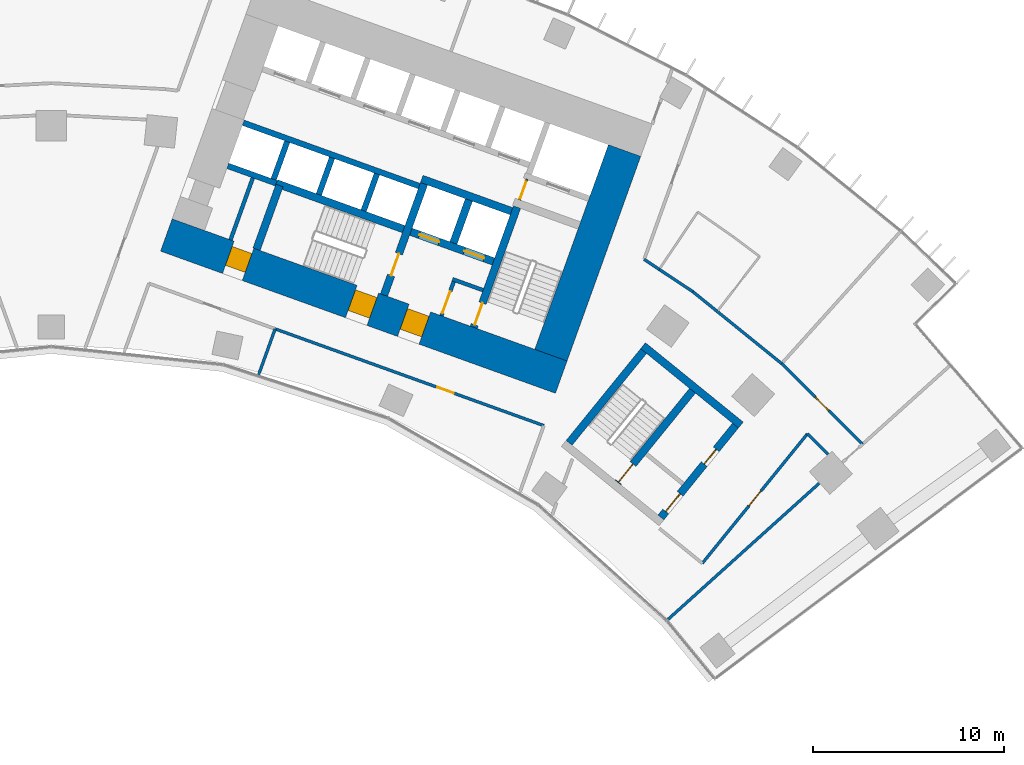
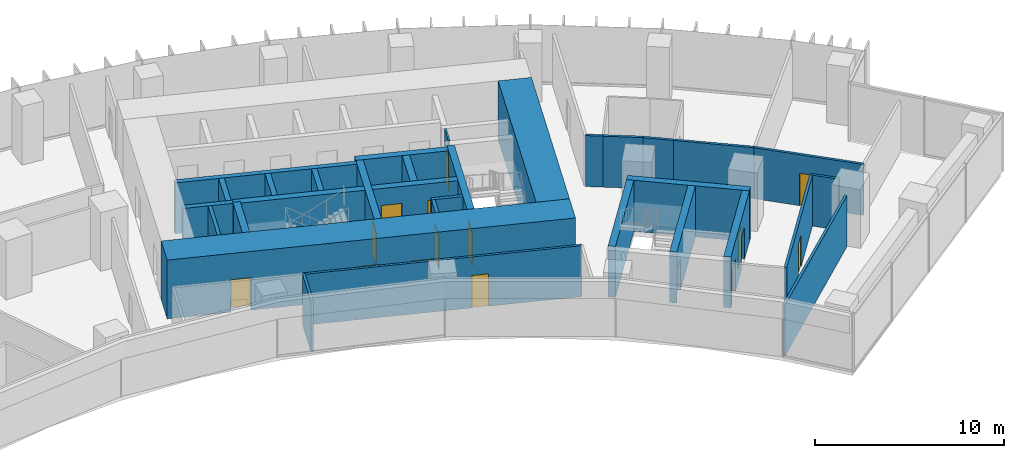
# One storey, part 20 of 24: 31 walls, 15 doors, 15 openings.
"""IFC4 building model written with IfcOpenShell, lengths in metres."""

from ifc_helpers import new_model, si_unit, direction, frame, frame_2d, origin, place, context, subcontext, project, spatial, rectangle, extrude, material, layer, layer_set, type_object, element, fill, save


model = new_model("IFC4")

# Units and contexts
model_context = context("Model", 3, precision=1e-05, world=origin(), true_north=direction((0.0, 1.0)))
body_context = subcontext(model_context, "Body", "Model", "MODEL_VIEW")
ifc_project = project(units=[si_unit("LENGTHUNIT", "METRE"), si_unit("AREAUNIT", "SQUARE_METRE"), si_unit("VOLUMEUNIT", "CUBIC_METRE"), si_unit("PLANEANGLEUNIT", "RADIAN"), si_unit("MASSUNIT", "GRAM", prefix="KILO")], contexts=[model_context])

# Site, building, storey
site_placement = place(None, origin())
site = spatial("IfcSite", under=ifc_project, at=site_placement, CompositionType="ELEMENT")
building_placement = place(site_placement, origin())
building = spatial("IfcBuilding", under=site, at=building_placement, Name="Stone Belt Terrace Tower", CompositionType="ELEMENT")
storey_placement = place(building_placement, frame((0.0, 0.0, 75.60009765625)))
storey = spatial("IfcBuildingStorey", under=building, at=storey_placement, Name="L18", CompositionType="ELEMENT", Elevation=75.60009765625)

# Wall, opening, door
ifc_material_1 = material(Name="Plasterboard partition")
ifc_layer_1 = layer(ifc_material_1, 0.10009765625)
ifc_layer_set_1 = layer_set([ifc_layer_1], Name="Core partition 100")
wall_type_1 = type_object("IfcWallType", Name="Core partition 100", PredefinedType="PARTITIONING", material=ifc_layer_set_1)
wall_1_placement = place(storey_placement, frame((24.555908203125, 51.10400390625, 0.0), z_axis=(0.0, 0.0, 1.0), x_axis=(0.338621735342, 0.94092258999, 0.0)))
wall_1 = element("IfcWall", 1, at=wall_1_placement, inside=storey, type_object=wall_type_1, Name="Core B wall", PredefinedType="PARTITIONING", context=body_context, shape_type="SweptSolid", body=[
    extrude(rectangle(XDim=1.14990234375, YDim=0.10009765625, at=frame_2d((0.574951171875, 0.0))), origin(), (0.0, 0.0, 1.0), 3.2998046875),
])
opening_1_placement = place(wall_1_placement, frame((0.050048828125, 0.0, 0.0)))
opening_1 = element("IfcOpeningElement", 2, at=opening_1_placement, cuts=wall_1, Name="Opening L18-C10", PredefinedType="OPENING", context=body_context, shape_type="SweptSolid", body=[
    extrude(rectangle(XDim=1.0, YDim=2.10009765625, at=frame_2d((0.5, 1.050048828125))), frame((0.0, 0.06005859375, 0.0), z_axis=(0.0, -1.0, 0.0), x_axis=(1.0, 0.0, 0.0)), (0.0, 0.0, 1.0), 0.1201171875),
])
ifc_material_2 = material(Name="Timber door leaf", Category="wood")
door_type_1 = type_object("IfcDoorType", Name="Core room door 1000", OperationType="SINGLE_SWING_LEFT", PredefinedType="DOOR", material=ifc_material_2)
door_1_placement = place(opening_1_placement, origin())
door_1 = element("IfcDoor", 3, at=door_1_placement, inside=storey, type_object=door_type_1, Name="Service lift lobby door core B", OperationType="SINGLE_SWING_LEFT", OverallHeight=2.10009765625, OverallWidth=1.0, PredefinedType="DOOR", context=body_context, shape_type="SweptSolid", body=[
    extrude(rectangle(XDim=1.0, YDim=2.10009765625, at=frame_2d((0.5, 1.050048828125))), frame((0.0, 0.02490234375, 0.0), z_axis=(0.0, -1.0, 0.0), x_axis=(1.0, 0.0, 0.0)), (0.0, 0.0, 1.0), 0.050048828125),
])
fill(opening_1, door_1)

# Wall, openings, doors
ifc_material_3 = material(Name="Concrete B80", Category="concrete")
ifc_layer_2 = layer(ifc_material_3, 1.800048828125)
ifc_layer_set_2 = layer_set([ifc_layer_2], Name="Core wall 1800 B80")
wall_type_2 = type_object("IfcWallType", Name="Core wall 1800 B80", PredefinedType="SHEAR", material=ifc_layer_set_2)
wall_2_placement = place(storey_placement, frame((6.039306640625, 49.265380859375, 0.0), z_axis=(0.0, 0.0, 1.0), x_axis=(0.940921642213, -0.338624368902, 0.0)))
wall_2 = element("IfcWall", 4, at=wall_2_placement, inside=storey, type_object=wall_type_2, Name="Core B wall concave L18", PredefinedType="SHEAR", context=body_context, shape_type="SweptSolid", body=[
    extrude(rectangle(XDim=22.0, YDim=1.800048828125, at=frame_2d((11.0, 0.0))), origin(), (0.0, 0.0, 1.0), 3.7998046875),
])
opening_2_placement = place(wall_2_placement, frame((13.199951171875, 0.0, 0.0)))
opening_2 = element("IfcOpeningElement", 5, at=opening_2_placement, cuts=wall_2, Name="Opening L18-C14", PredefinedType="OPENING", context=body_context, shape_type="SweptSolid", body=[
    extrude(rectangle(XDim=1.199951171875, YDim=2.10009765625, at=frame_2d((0.60009765625, 1.050048828125))), frame((0.0, 0.909912109375, 0.0), z_axis=(0.0, -1.0, 0.0), x_axis=(1.0, 0.0, 0.0)), (0.0, 0.0, 1.0), 1.820068359375),
])
opening_3_placement = place(wall_2_placement, frame((10.300048828125, 0.0, 0.0)))
opening_3 = element("IfcOpeningElement", 6, at=opening_3_placement, cuts=wall_2, Name="Opening L18-C16", PredefinedType="OPENING", context=body_context, shape_type="SweptSolid", body=[
    extrude(rectangle(XDim=1.199951171875, YDim=2.10009765625, at=frame_2d((0.60009765625, 1.050048828125))), frame((0.0, 0.909912109375, 0.0), z_axis=(0.0, -1.0, 0.0), x_axis=(1.0, 0.0, 0.0)), (0.0, 0.0, 1.0), 1.820068359375),
])
opening_4_placement = place(wall_2_placement, frame((3.449951171875, 0.0, 0.0)))
opening_4 = element("IfcOpeningElement", 7, at=opening_4_placement, cuts=wall_2, Name="Opening L18-C18", PredefinedType="OPENING", context=body_context, shape_type="SweptSolid", body=[
    extrude(rectangle(XDim=1.10009765625, YDim=2.10009765625, at=frame_2d((0.550048828125, 1.050048828125))), frame((0.0, 0.909912109375, 0.0), z_axis=(0.0, -1.0, 0.0), x_axis=(1.0, 0.0, 0.0)), (0.0, 0.0, 1.0), 1.820068359375),
])
door_type_2 = type_object("IfcDoorType", Name="Core room door 1100", OperationType="SINGLE_SWING_LEFT", PredefinedType="DOOR", material=ifc_material_2)
door_2_placement = place(opening_4_placement, origin())
door_2 = element("IfcDoor", 8, at=door_2_placement, inside=storey, type_object=door_type_2, Name="Door to Communications riser room core B", OperationType="SINGLE_SWING_LEFT", OverallHeight=2.10009765625, OverallWidth=1.10009765625, PredefinedType="DOOR", context=body_context, shape_type="SweptSolid", body=[
    extrude(rectangle(XDim=1.10009765625, YDim=2.10009765625, at=frame_2d((0.550048828125, 1.050048828125))), frame((0.0, 0.60498046875, 0.0), z_axis=(0.0, -1.0, 0.0), x_axis=(1.0, 0.0, 0.0)), (0.0, 0.0, 1.0), 1.050048828125),
])
fill(opening_4, door_2)
ifc_material_4 = material(Name="Steel door leaf", Category="steel")
door_type_3 = type_object("IfcDoorType", Name="Fire-fighting lobby door 1200", OperationType="SINGLE_SWING_LEFT", PredefinedType="DOOR", material=ifc_material_4)
door_3_placement = place(opening_2_placement, origin())
door_3 = element("IfcDoor", 9, at=door_3_placement, inside=storey, type_object=door_type_3, Name="Fire-fighting lobby door core B", OperationType="SINGLE_SWING_LEFT", OverallHeight=2.10009765625, OverallWidth=1.199951171875, PredefinedType="DOOR", context=body_context, shape_type="SweptSolid", body=[
    extrude(rectangle(XDim=1.199951171875, YDim=2.10009765625, at=frame_2d((0.60009765625, 1.050048828125))), frame((0.0, 0.655029296875, 0.0), z_axis=(0.0, -1.0, 0.0), x_axis=(1.0, 0.0, 0.0)), (0.0, 0.0, 1.0), 1.14990234375),
])
fill(opening_2, door_3)
door_type_4 = type_object("IfcDoorType", Name="Stair door 1200", OperationType="SINGLE_SWING_LEFT", PredefinedType="DOOR", material=ifc_material_4)
door_4_placement = place(opening_3_placement, origin())
door_4 = element("IfcDoor", 10, at=door_4_placement, inside=storey, type_object=door_type_4, Name="Stair 2 exit door core B", OperationType="SINGLE_SWING_RIGHT", OverallHeight=2.10009765625, OverallWidth=1.199951171875, PredefinedType="DOOR", context=body_context, shape_type="SweptSolid", body=[
    extrude(rectangle(XDim=1.199951171875, YDim=2.10009765625, at=frame_2d((0.60009765625, 1.050048828125))), frame((0.0, 0.655029296875, 0.0), z_axis=(0.0, -1.0, 0.0), x_axis=(1.0, 0.0, 0.0)), (0.0, 0.0, 1.0), 1.14990234375),
])
fill(opening_3, door_4)

# Walls
wall_3_placement = place(storey_placement, frame((26.197509765625, 42.96728515625, 0.0), z_axis=(0.0, 0.0, 1.0), x_axis=(0.338625431531, 0.940921259788, 0.0)))
element("IfcWall", 11, at=wall_3_placement, inside=storey, type_object=wall_type_2, Name="Core B wall end_b L18", PredefinedType="SHEAR", context=body_context, shape_type="SweptSolid", body=[
    extrude(rectangle(XDim=11.400146484375, YDim=1.800048828125, at=frame_2d((5.7001953125, 0.0))), origin(), (0.0, 0.0, 1.0), 3.7998046875),
])
ifc_layer_3 = layer(ifc_material_3, 0.39990234375)
ifc_layer_set_3 = layer_set([ifc_layer_3], Name="Fire-fighting lift shaft wall 400")
wall_type_3 = type_object("IfcWallType", Name="Fire-fighting lift shaft wall 400", PredefinedType="SHEAR", material=ifc_layer_set_3)
wall_4_placement = place(storey_placement, frame((24.130615234375, 50.512939453125, 0.0), z_axis=(0.0, 0.0, 1.0), x_axis=(-0.94091168377, 0.338652038744, 0.0)))
element("IfcWall", 12, at=wall_4_placement, inside=storey, type_object=wall_type_3, Name="Core B wall", PredefinedType="SHEAR", context=body_context, shape_type="SweptSolid", body=[
    extrude(rectangle(XDim=5.000244140625, YDim=0.39990234375, at=frame_2d((2.5, 0.0))), origin(), (0.0, 0.0, 1.0), 3.2998046875),
])
wall_5_placement = place(storey_placement, frame((21.0859375, 48.845458984375, 0.0), z_axis=(0.0, 0.0, 1.0), x_axis=(0.338629416206, 0.940919825745, 0.0)))
element("IfcWall", 13, at=wall_5_placement, inside=storey, type_object=wall_type_3, Name="Core B wall", PredefinedType="SHEAR", context=body_context, shape_type="SweptSolid", body=[
    extrude(rectangle(XDim=2.400146484375, YDim=0.39990234375, at=frame_2d((1.2001953125, 0.0))), origin(), (0.0, 0.0, 1.0), 3.2998046875),
])
ifc_layer_4 = layer(ifc_material_3, 0.300048828125)
ifc_layer_set_4 = layer_set([ifc_layer_4], Name="Lift shaft wall 300")
wall_type_4 = type_object("IfcWallType", Name="Lift shaft wall 300", PredefinedType="SHEAR", material=ifc_layer_set_4)
wall_6_placement = place(storey_placement, frame((19.29052734375, 51.829833984375, 0.0), z_axis=(0.0, 0.0, 1.0), x_axis=(-0.940925833398, 0.338612722803, 0.0)))
element("IfcWall", 14, at=wall_6_placement, inside=storey, type_object=wall_type_4, Name="Core B wall", PredefinedType="SHEAR", context=body_context, shape_type="SweptSolid", body=[
    extrude(rectangle(XDim=9.7998046875, YDim=0.300048828125, at=frame_2d((4.89990234375, 0.0))), origin(), (0.0, 0.0, 1.0), 3.2998046875),
])
for number, where, z_axis, x_axis, name in (
    (15, (16.38134765625, 50.53857421875, 0.0), (0.0, 0.0, 1.0), (0.338681515556, 0.940901073982, 0.0), "Core B wall"),
    (16, (14.029052734375, 51.38525390625, 0.0), (0.0, 0.0, 1.0), (0.338681515556, 0.940901073982, 0.0), "Core B wall"),
):
    element("IfcWall", number, at=place(storey_placement, frame(where, z_axis=z_axis, x_axis=x_axis)), inside=storey, type_object=wall_type_4, Name=name, PredefinedType="SHEAR", context=body_context, shape_type="SweptSolid", body=[
        extrude(rectangle(XDim=2.050048828125, YDim=0.300048828125, at=frame_2d((1.02490234375, 0.0))), origin(), (0.0, 0.0, 1.0), 3.2998046875),
    ])
wall_7_placement = place(storey_placement, frame((11.797119140625, 51.975830078125, 0.0), z_axis=(0.0, 0.0, 1.0), x_axis=(-0.940910465161, 0.33865542451, 0.0)))
element("IfcWall", 17, at=wall_7_placement, inside=storey, type_object=wall_type_4, Name="Core B wall", PredefinedType="SHEAR", context=body_context, shape_type="SweptSolid", body=[
    extrude(rectangle(XDim=2.69970703125, YDim=0.300048828125, at=frame_2d((1.349853515625, 0.0))), origin(), (0.0, 0.0, 1.0), 3.2998046875),
])
wall_8_placement = place(storey_placement, frame((11.659912109375, 52.184814453125, 0.0), z_axis=(0.0, 0.0, 1.0), x_axis=(0.338670064856, 0.940905195634, 0.0)))
element("IfcWall", 18, at=wall_8_placement, inside=storey, type_object=wall_type_4, Name="Core B wall", PredefinedType="SHEAR", context=body_context, shape_type="SweptSolid", body=[
    extrude(rectangle(XDim=2.099853515625, YDim=0.300048828125, at=frame_2d((1.0498046875, 0.0))), origin(), (0.0, 0.0, 1.0), 3.2998046875),
])

# Wall, opening, door
ifc_material_5 = material(Name="Gypsum board partition")
ifc_layer_5 = layer(ifc_material_5, 0.14990234375)
ifc_layer_set_5 = layer_set([ifc_layer_5], Name="PARTITION 150 EI 60")
wall_type_5 = type_object("IfcWallType", Name="PARTITION 150 EI 60", PredefinedType="PARTITIONING", material=ifc_layer_set_5)
wall_9_placement = place(storey_placement, frame((25.824951171875, 39.27490234375, 0.0), z_axis=(0.0, 0.0, 1.0), x_axis=(-0.940924398341, 0.338616710466, 0.0)))
wall_9 = element("IfcWall", 19, at=wall_9_placement, inside=storey, type_object=wall_type_5, Name="L18/wall/i028", PredefinedType="PARTITIONING", context=body_context, shape_type="SweptSolid", body=[
    extrude(rectangle(XDim=14.975830078125, YDim=0.14990234375, at=frame_2d((7.48779296875, 0.0))), origin(), (0.0, 0.0, 1.0), 3.2998046875),
])
opening_5_placement = place(wall_9_placement, frame((5.0166015625, 0.0, 0.0)))
opening_5 = element("IfcOpeningElement", 20, at=opening_5_placement, cuts=wall_9, Name="Opening D-A5-06", PredefinedType="OPENING", context=body_context, shape_type="SweptSolid", body=[
    extrude(rectangle(XDim=0.89990234375, YDim=2.10009765625, at=frame_2d((0.449951171875, 1.050048828125))), frame((0.0, 0.0849609375, 0.0), z_axis=(0.0, -1.0, 0.0), x_axis=(1.0, 0.0, 0.0)), (0.0, 0.0, 1.0), 0.169921875),
])
door_type_5 = type_object("IfcDoorType", Name="OFFICE DOOR 900 X 2100", OperationType="NOTDEFINED", PredefinedType="DOOR", material=ifc_material_2)
door_5_placement = place(opening_5_placement, origin())
door_5 = element("IfcDoor", 21, at=door_5_placement, inside=storey, type_object=door_type_5, Name="L18/door/i06", OperationType="SINGLE_SWING_LEFT", OverallHeight=2.10009765625, OverallWidth=0.89990234375, PredefinedType="DOOR", context=body_context, shape_type="SweptSolid", body=[
    extrude(rectangle(XDim=0.89990234375, YDim=2.10009765625, at=frame_2d((0.449951171875, 1.050048828125))), frame((0.0, 0.02490234375, 0.0), z_axis=(0.0, -1.0, 0.0), x_axis=(1.0, 0.0, 0.0)), (0.0, 0.0, 1.0), 0.050048828125),
])
fill(opening_5, door_5)

# Walls
wall_10_placement = place(storey_placement, frame((11.739990234375, 44.343994140625, 0.0), z_axis=(0.0, 0.0, 1.0), x_axis=(-0.338593578541, -0.940932722659, 0.0)))
element("IfcWall", 22, at=wall_10_placement, inside=storey, type_object=wall_type_5, Name="L18/wall/i029", PredefinedType="PARTITIONING", context=body_context, shape_type="SweptSolid", body=[
    extrude(rectangle(XDim=2.541015625, YDim=0.14990234375, at=frame_2d((1.2705078125, 0.0))), origin(), (0.0, 0.0, 1.0), 3.2998046875),
])
wall_11_placement = place(storey_placement, frame((32.32666015625, 29.107177734375, 0.0), z_axis=(0.0, 0.0, 1.0), x_axis=(0.743125739533, 0.66915180284, 0.0)))
element("IfcWall", 23, at=wall_11_placement, inside=storey, type_object=wall_type_5, Name="L18/wall/i060", PredefinedType="PARTITIONING", context=body_context, shape_type="SweptSolid", body=[
    extrude(rectangle(XDim=10.670166015625, YDim=0.14990234375, at=frame_2d((5.3349609375, 0.0))), origin(), (0.0, 0.0, 1.0), 3.2998046875),
])
wall_12_placement = place(storey_placement, frame((40.71240234375, 37.7744140625, 0.0), z_axis=(0.0, 0.0, 1.0), x_axis=(-0.707106781187, 0.707106781187, 0.0)))
element("IfcWall", 24, at=wall_12_placement, inside=storey, type_object=wall_type_5, Name="L18/wall/i062", PredefinedType="PARTITIONING", context=body_context, shape_type="SweptSolid", body=[
    extrude(rectangle(XDim=1.51806640625, YDim=0.14990234375, at=frame_2d((0.759033203125, 0.0))), origin(), (0.0, 0.0, 1.0), 3.2998046875),
])
wall_13_placement = place(storey_placement, frame((31.0859375, 47.988037109375, 0.0), z_axis=(0.0, 0.0, 1.0), x_axis=(0.833112915389, -0.553102947209, 0.0)))
element("IfcWall", 25, at=wall_13_placement, inside=storey, type_object=wall_type_5, Name="L18/wall/i063", PredefinedType="PARTITIONING", context=body_context, shape_type="SweptSolid", body=[
    extrude(rectangle(XDim=0.952880859375, YDim=0.14990234375, at=frame_2d((0.4765625, 0.0))), origin(), (0.0, 0.0, 1.0), 3.2998046875),
])
wall_14_placement = place(storey_placement, frame((34.909912109375, 45.263916015625, 0.0), z_axis=(0.0, 0.0, 1.0), x_axis=(0.777186041136, -0.629270893545, 0.0)))
element("IfcWall", 26, at=wall_14_placement, inside=storey, type_object=wall_type_5, Name="L18/wall/i064", PredefinedType="PARTITIONING", context=body_context, shape_type="SweptSolid", body=[
    extrude(rectangle(XDim=4.34912109375, YDim=0.14990234375, at=frame_2d((2.174560546875, 0.0))), origin(), (0.0, 0.0, 1.0), 3.2998046875),
])
wall_15_placement = place(storey_placement, frame((31.8701171875, 47.467041015625, 0.0), z_axis=(0.0, 0.0, 1.0), x_axis=(0.833377351952, -0.552704432091, 0.0)))
element("IfcWall", 27, at=wall_15_placement, inside=storey, type_object=wall_type_5, Name="L18/wall/i065", PredefinedType="PARTITIONING", context=body_context, shape_type="SweptSolid", body=[
    extrude(rectangle(XDim=2.118896484375, YDim=0.14990234375, at=frame_2d((1.0595703125, 0.0))), origin(), (0.0, 0.0, 1.0), 3.2998046875),
])
wall_16_placement = place(storey_placement, frame((33.635986328125, 46.2958984375, 0.0), z_axis=(0.0, 0.0, 1.0), x_axis=(0.777120971984, -0.629351249226, 0.0)))
element("IfcWall", 28, at=wall_16_placement, inside=storey, type_object=wall_type_5, Name="L18/wall/i066", PredefinedType="PARTITIONING", context=body_context, shape_type="SweptSolid", body=[
    extrude(rectangle(XDim=1.652099609375, YDim=0.14990234375, at=frame_2d((0.826171875, 0.0))), origin(), (0.0, 0.0, 1.0), 3.2998046875),
])

# Wall, opening, door
wall_17_placement = place(storey_placement, frame((38.291015625, 42.52587890625, 0.0), z_axis=(0.0, 0.0, 1.0), x_axis=(0.707106781187, -0.707106781187, 0.0)))
wall_17 = element("IfcWall", 29, at=wall_17_placement, inside=storey, type_object=wall_type_5, Name="L18/wall/i067", PredefinedType="PARTITIONING", context=body_context, shape_type="SweptSolid", body=[
    extrude(rectangle(XDim=5.989013671875, YDim=0.14990234375, at=frame_2d((2.99462890625, 0.0))), origin(), (0.0, 0.0, 1.0), 3.2998046875),
])
opening_6_placement = place(wall_17_placement, frame((2.49462890625, 0.0, 0.0)))
opening_6 = element("IfcOpeningElement", 30, at=opening_6_placement, cuts=wall_17, Name="Opening D-A5-23", PredefinedType="OPENING", context=body_context, shape_type="SweptSolid", body=[
    extrude(rectangle(XDim=1.0, YDim=2.10009765625, at=frame_2d((0.5, 1.050048828125))), frame((0.0, 0.0849609375, 0.0), z_axis=(0.0, -1.0, 0.0), x_axis=(1.0, 0.0, 0.0)), (0.0, 0.0, 1.0), 0.169921875),
])
ifc_material_6 = material(Name="Timber fire door leaf", Category="wood")
door_type_6 = type_object("IfcDoorType", Name="TENANCY ENTRANCE DOOR 1000 X 2100", OperationType="NOTDEFINED", PredefinedType="DOOR", material=ifc_material_6)
door_6_placement = place(opening_6_placement, origin())
door_6 = element("IfcDoor", 31, at=door_6_placement, inside=storey, type_object=door_type_6, Name="L18/door/i23", OperationType="SINGLE_SWING_RIGHT", OverallHeight=2.10009765625, OverallWidth=1.0, PredefinedType="DOOR", context=body_context, shape_type="SweptSolid", body=[
    extrude(rectangle(XDim=1.0, YDim=2.10009765625, at=frame_2d((0.5, 1.050048828125))), frame((0.0, 0.02490234375, 0.0), z_axis=(0.0, -1.0, 0.0), x_axis=(1.0, 0.0, 0.0)), (0.0, 0.0, 1.0), 0.050048828125),
])
fill(opening_6, door_6)

wall_18_placement = place(storey_placement, frame((34.133056640625, 32.055908203125, 0.0), z_axis=(0.0, 0.0, 1.0), x_axis=(0.630226712005, 0.776411161354, 0.0)))
wall_18 = element("IfcWall", 32, at=wall_18_placement, inside=storey, type_object=wall_type_5, Name="L18/wall/i068", PredefinedType="PARTITIONING", context=body_context, shape_type="SweptSolid", body=[
    extrude(rectangle(XDim=8.742919921875, YDim=0.14990234375, at=frame_2d((4.37158203125, 0.0))), origin(), (0.0, 0.0, 1.0), 3.2998046875),
])
opening_7_placement = place(wall_18_placement, frame((3.871337890625, 0.0, 0.0)))
opening_7 = element("IfcOpeningElement", 33, at=opening_7_placement, cuts=wall_18, Name="Opening D-A5-20", PredefinedType="OPENING", context=body_context, shape_type="SweptSolid", body=[
    extrude(rectangle(XDim=1.0, YDim=2.10009765625, at=frame_2d((0.5, 1.050048828125))), frame((0.0, 0.0849609375, 0.0), z_axis=(0.0, -1.0, 0.0), x_axis=(1.0, 0.0, 0.0)), (0.0, 0.0, 1.0), 0.169921875),
])
door_7_placement = place(opening_7_placement, origin())
door_7 = element("IfcDoor", 34, at=door_7_placement, inside=storey, type_object=door_type_6, Name="L18/door/i20", OperationType="SINGLE_SWING_RIGHT", OverallHeight=2.10009765625, OverallWidth=1.0, PredefinedType="DOOR", context=body_context, shape_type="SweptSolid", body=[
    extrude(rectangle(XDim=1.0, YDim=2.10009765625, at=frame_2d((0.5, 1.050048828125))), frame((0.0, 0.02490234375, 0.0), z_axis=(0.0, -1.0, 0.0), x_axis=(1.0, 0.0, 0.0)), (0.0, 0.0, 1.0), 0.050048828125),
])
fill(opening_7, door_7)

# Wall
ifc_material_7 = material(Name="Concrete masonry block", Category="masonry")
ifc_layer_6 = layer(ifc_material_7, 0.199951171875)
ifc_layer_set_6 = layer_set([ifc_layer_6], Name="Rated lobby wall 200")
wall_type_6 = type_object("IfcWallType", Name="Rated lobby wall 200", PredefinedType="PARTITIONING", material=ifc_layer_set_6)
wall_19_placement = place(storey_placement, frame((22.640625, 46.373046875, 0.0), z_axis=(0.0, 0.0, 1.0), x_axis=(-0.940966110313, 0.338500781747, 0.0)))
element("IfcWall", 35, at=wall_19_placement, inside=storey, type_object=wall_type_6, Name="Core B wall", PredefinedType="PARTITIONING", context=body_context, shape_type="SweptSolid", body=[
    extrude(rectangle(XDim=1.699951171875, YDim=0.199951171875, at=frame_2d((0.85009765625, 0.0))), origin(), (0.0, 0.0, 1.0), 3.2998046875),
])

# Wall, opening, door
wall_20_placement = place(storey_placement, frame((20.4580078125, 45.032958984375, 0.0), z_axis=(0.0, 0.0, 1.0), x_axis=(0.338573865316, 0.940939816208, 0.0)))
wall_20 = element("IfcWall", 36, at=wall_20_placement, inside=storey, type_object=wall_type_6, Name="Core B wall", PredefinedType="PARTITIONING", context=body_context, shape_type="SweptSolid", body=[
    extrude(rectangle(XDim=1.900146484375, YDim=0.199951171875, at=frame_2d((0.9501953125, 0.0))), origin(), (0.0, 0.0, 1.0), 3.2998046875),
])
opening_8_placement = place(wall_20_placement, frame((0.14990234375, 0.0, 0.0)))
opening_8 = element("IfcOpeningElement", 37, at=opening_8_placement, cuts=wall_20, Name="Opening L18-C13", PredefinedType="OPENING", context=body_context, shape_type="SweptSolid", body=[
    extrude(rectangle(XDim=1.199951171875, YDim=2.10009765625, at=frame_2d((0.60009765625, 1.050048828125))), frame((0.0, 0.10986328125, 0.0), z_axis=(0.0, -1.0, 0.0), x_axis=(1.0, 0.0, 0.0)), (0.0, 0.0, 1.0), 0.219970703125),
])
door_8_placement = place(opening_8_placement, origin())
door_8 = element("IfcDoor", 38, at=door_8_placement, inside=storey, type_object=door_type_4, Name="Stair airlock door core B", OperationType="SINGLE_SWING_LEFT", OverallHeight=2.10009765625, OverallWidth=1.199951171875, PredefinedType="DOOR", context=body_context, shape_type="SweptSolid", body=[
    extrude(rectangle(XDim=1.199951171875, YDim=2.10009765625, at=frame_2d((0.60009765625, 1.050048828125))), frame((0.0, 0.02490234375, 0.0), z_axis=(0.0, -1.0, 0.0), x_axis=(1.0, 0.0, 0.0)), (0.0, 0.0, 1.0), 0.050048828125),
])
fill(opening_8, door_8)

# Wall
wall_21_placement = place(storey_placement, frame((9.402099609375, 49.01171875, 0.0), z_axis=(0.0, 0.0, 1.0), x_axis=(0.338599189079, 0.940930703695, 0.0)))
element("IfcWall", 39, at=wall_21_placement, inside=storey, type_object=wall_type_6, Name="Core B wall", PredefinedType="PARTITIONING", context=body_context, shape_type="SweptSolid", body=[
    extrude(rectangle(XDim=3.4501953125, YDim=0.199951171875, at=frame_2d((1.72509765625, 0.0))), origin(), (0.0, 0.0, 1.0), 3.2998046875),
])

# Wall, opening, door
ifc_layer_7 = layer(ifc_material_3, 0.39990234375)
ifc_layer_set_7 = layer_set([ifc_layer_7], Name="Stair enclosure wall 400")
wall_type_7 = type_object("IfcWallType", Name="Stair enclosure wall 400", PredefinedType="SHEAR", material=ifc_layer_set_7)
wall_22_placement = place(storey_placement, frame((22.151611328125, 44.42333984375, 0.0), z_axis=(0.0, 0.0, 1.0), x_axis=(0.338625272931, 0.940921316866, 0.0)))
wall_22 = element("IfcWall", 40, at=wall_22_placement, inside=storey, type_object=wall_type_7, Name="Core B wall", PredefinedType="SHEAR", context=body_context, shape_type="SweptSolid", body=[
    extrude(rectangle(XDim=6.699951171875, YDim=0.39990234375, at=frame_2d((3.35009765625, 0.0))), origin(), (0.0, 0.0, 1.0), 3.2998046875),
])
opening_9_placement = place(wall_22_placement, frame((0.14990234375, 0.0, 0.0)))
opening_9 = element("IfcOpeningElement", 41, at=opening_9_placement, cuts=wall_22, Name="Opening L18-C12", PredefinedType="OPENING", context=body_context, shape_type="SweptSolid", body=[
    extrude(rectangle(XDim=1.199951171875, YDim=2.10009765625, at=frame_2d((0.60009765625, 1.050048828125))), frame((0.0, 0.2099609375, 0.0), z_axis=(0.0, -1.0, 0.0), x_axis=(1.0, 0.0, 0.0)), (0.0, 0.0, 1.0), 0.419921875),
])
door_9_placement = place(opening_9_placement, origin())
door_9 = element("IfcDoor", 42, at=door_9_placement, inside=storey, type_object=door_type_4, Name="Stair 1 door core B", OperationType="SINGLE_SWING_LEFT", OverallHeight=2.10009765625, OverallWidth=1.199951171875, PredefinedType="DOOR", context=body_context, shape_type="SweptSolid", body=[
    extrude(rectangle(XDim=1.199951171875, YDim=2.10009765625, at=frame_2d((0.60009765625, 1.050048828125))), frame((0.0, 0.02490234375, 0.0), z_axis=(0.0, -1.0, 0.0), x_axis=(1.0, 0.0, 0.0)), (0.0, 0.0, 1.0), 0.050048828125),
])
fill(opening_9, door_9)

# Wall, openings, doors
wall_23_placement = place(storey_placement, frame((23.182373046875, 47.87841796875, 0.0), z_axis=(0.0, 0.0, 1.0), x_axis=(-0.940921101762, 0.338625870628, 0.0)))
wall_23 = element("IfcWall", 43, at=wall_23_placement, inside=storey, type_object=wall_type_7, Name="Core B wall", PredefinedType="SHEAR", context=body_context, shape_type="SweptSolid", body=[
    extrude(rectangle(XDim=12.10009765625, YDim=0.39990234375, at=frame_2d((6.050048828125, 0.0))), origin(), (0.0, 0.0, 1.0), 3.2998046875),
])
opening_10_placement = place(wall_23_placement, frame((0.52001953125, 0.0, 0.0)))
opening_10 = element("IfcOpeningElement", 44, at=opening_10_placement, cuts=wall_23, Name="Opening L18-LD16", PredefinedType="OPENING", context=body_context, shape_type="SweptSolid", body=[
    extrude(rectangle(XDim=1.10009765625, YDim=2.199951171875, at=frame_2d((0.550048828125, 1.10009765625))), frame((0.0, 0.2099609375, 0.0), z_axis=(0.0, -1.0, 0.0), x_axis=(1.0, 0.0, 0.0)), (0.0, 0.0, 1.0), 0.419921875),
])
opening_11_placement = place(wall_23_placement, frame((3.02001953125, 0.0, 0.0)))
opening_11 = element("IfcOpeningElement", 45, at=opening_11_placement, cuts=wall_23, Name="Opening L18-LD17", PredefinedType="OPENING", context=body_context, shape_type="SweptSolid", body=[
    extrude(rectangle(XDim=1.10009765625, YDim=2.199951171875, at=frame_2d((0.550048828125, 1.10009765625))), frame((0.0, 0.2099609375, 0.0), z_axis=(0.0, -1.0, 0.0), x_axis=(1.0, 0.0, 0.0)), (0.0, 0.0, 1.0), 0.419921875),
])
ifc_material_8 = material(Name="Stainless steel door leaf", Category="steel")
door_type_7 = type_object("IfcDoorType", Name="Landing door 1100", OperationType="SLIDING_TO_LEFT", PredefinedType="DOOR", material=ifc_material_8)
door_10_placement = place(opening_10_placement, origin())
door_10 = element("IfcDoor", 46, at=door_10_placement, inside=storey, type_object=door_type_7, Name="Landing door FF1 core B", OperationType="SLIDING_TO_LEFT", OverallHeight=2.199951171875, OverallWidth=1.10009765625, PredefinedType="DOOR", context=body_context, shape_type="SweptSolid", body=[
    extrude(rectangle(XDim=1.10009765625, YDim=2.199951171875, at=frame_2d((0.550048828125, 1.10009765625))), frame((0.0, 0.02490234375, 0.0), z_axis=(0.0, -1.0, 0.0), x_axis=(1.0, 0.0, 0.0)), (0.0, 0.0, 1.0), 0.050048828125),
])
fill(opening_10, door_10)
door_11_placement = place(opening_11_placement, origin())
door_11 = element("IfcDoor", 47, at=door_11_placement, inside=storey, type_object=door_type_7, Name="Landing door FF2 core B", OperationType="SLIDING_TO_LEFT", OverallHeight=2.199951171875, OverallWidth=1.10009765625, PredefinedType="DOOR", context=body_context, shape_type="SweptSolid", body=[
    extrude(rectangle(XDim=1.10009765625, YDim=2.199951171875, at=frame_2d((0.550048828125, 1.10009765625))), frame((0.0, 0.02490234375, 0.0), z_axis=(0.0, -1.0, 0.0), x_axis=(1.0, 0.0, 0.0)), (0.0, 0.0, 1.0), 0.050048828125),
])
fill(opening_11, door_11)

# Wall, opening, door
wall_24_placement = place(storey_placement, frame((17.447021484375, 46.116455078125, 0.0), z_axis=(0.0, 0.0, 1.0), x_axis=(0.33860791464, 0.940927563707, 0.0)))
wall_24 = element("IfcWall", 48, at=wall_24_placement, inside=storey, type_object=wall_type_7, Name="Core B wall", PredefinedType="SHEAR", context=body_context, shape_type="SweptSolid", body=[
    extrude(rectangle(XDim=6.199951171875, YDim=0.39990234375, at=frame_2d((3.10009765625, 0.0))), origin(), (0.0, 0.0, 1.0), 3.2998046875),
])
opening_12_placement = place(wall_24_placement, frame((1.10009765625, 0.0, 0.0)))
opening_12 = element("IfcOpeningElement", 49, at=opening_12_placement, cuts=wall_24, Name="Opening L18-C15", PredefinedType="OPENING", context=body_context, shape_type="SweptSolid", body=[
    extrude(rectangle(XDim=1.199951171875, YDim=2.10009765625, at=frame_2d((0.60009765625, 1.050048828125))), frame((0.0, 0.2099609375, 0.0), z_axis=(0.0, -1.0, 0.0), x_axis=(1.0, 0.0, 0.0)), (0.0, 0.0, 1.0), 0.419921875),
])
door_12_placement = place(opening_12_placement, origin())
door_12 = element("IfcDoor", 50, at=door_12_placement, inside=storey, type_object=door_type_4, Name="Stair 2 door core B", OperationType="SINGLE_SWING_LEFT", OverallHeight=2.10009765625, OverallWidth=1.199951171875, PredefinedType="DOOR", context=body_context, shape_type="SweptSolid", body=[
    extrude(rectangle(XDim=1.199951171875, YDim=2.10009765625, at=frame_2d((0.60009765625, 1.050048828125))), frame((0.0, 0.02490234375, 0.0), z_axis=(0.0, -1.0, 0.0), x_axis=(1.0, 0.0, 0.0)), (0.0, 0.0, 1.0), 0.050048828125),
])
fill(opening_12, door_12)

# Walls
wall_25_placement = place(storey_placement, frame((10.766357421875, 48.520751953125, 0.0), z_axis=(0.0, 0.0, 1.0), x_axis=(0.338626928157, 0.94092072117, 0.0)))
element("IfcWall", 51, at=wall_25_placement, inside=storey, type_object=wall_type_7, Name="Core B wall", PredefinedType="SHEAR", context=body_context, shape_type="SweptSolid", body=[
    extrude(rectangle(XDim=3.550048828125, YDim=0.39990234375, at=frame_2d((1.77490234375, 0.0))), origin(), (0.0, 0.0, 1.0), 3.2998046875),
])
wall_26_placement = place(storey_placement, frame((31.02783203125, 43.46337890625, 0.0), z_axis=(0.0, 0.0, 1.0), x_axis=(0.776413760801, -0.630223509589, 0.0)))
element("IfcWall", 52, at=wall_26_placement, inside=storey, type_object=wall_type_7, Name="Exit stair ST3B wall", PredefinedType="SHEAR", context=body_context, shape_type="SweptSolid", body=[
    extrude(rectangle(XDim=6.599853515625, YDim=0.39990234375, at=frame_2d((3.2998046875, 0.0))), origin(), (0.0, 0.0, 1.0), 3.2998046875),
])
wall_27_placement = place(storey_placement, frame((27.149658203125, 38.3681640625, 0.0), z_axis=(0.0, 0.0, 1.0), x_axis=(0.630211551729, 0.776423466973, 0.0)))
element("IfcWall", 53, at=wall_27_placement, inside=storey, type_object=wall_type_7, Name="Exit stair ST3B wall", PredefinedType="SHEAR", context=body_context, shape_type="SweptSolid", body=[
    extrude(rectangle(XDim=6.199951171875, YDim=0.39990234375, at=frame_2d((3.10009765625, 0.0))), origin(), (0.0, 0.0, 1.0), 3.2998046875),
])

# Wall, openings, doors
wall_28_placement = place(storey_placement, frame((31.963623046875, 34.460693359375, 0.0), z_axis=(0.0, 0.0, 1.0), x_axis=(0.630192283849, 0.776439106033, 0.0)))
wall_28 = element("IfcWall", 54, at=wall_28_placement, inside=storey, type_object=wall_type_7, Name="Exit stair ST3B wall", PredefinedType="SHEAR", context=body_context, shape_type="SweptSolid", body=[
    extrude(rectangle(XDim=6.199951171875, YDim=0.39990234375, at=frame_2d((3.10009765625, 0.0))), origin(), (0.0, 0.0, 1.0), 3.2998046875),
])
opening_13_placement = place(wall_28_placement, frame((0.39990234375, 0.0, 0.0)))
opening_13 = element("IfcOpeningElement", 55, at=opening_13_placement, cuts=wall_28, Name="Opening L18-C23", PredefinedType="OPENING", context=body_context, shape_type="SweptSolid", body=[
    extrude(rectangle(XDim=1.199951171875, YDim=2.10009765625, at=frame_2d((0.60009765625, 1.050048828125))), frame((0.0, 0.2099609375, 0.0), z_axis=(0.0, -1.0, 0.0), x_axis=(1.0, 0.0, 0.0)), (0.0, 0.0, 1.0), 0.419921875),
])
opening_14_placement = place(wall_28_placement, frame((3.60009765625, 0.0, 0.0)))
opening_14 = element("IfcOpeningElement", 56, at=opening_14_placement, cuts=wall_28, Name="Opening L18-C24", PredefinedType="OPENING", context=body_context, shape_type="SweptSolid", body=[
    extrude(rectangle(XDim=1.0, YDim=2.10009765625, at=frame_2d((0.5, 1.050048828125))), frame((0.0, 0.2099609375, 0.0), z_axis=(0.0, -1.0, 0.0), x_axis=(1.0, 0.0, 0.0)), (0.0, 0.0, 1.0), 0.419921875),
])
door_13_placement = place(opening_14_placement, origin())
door_13 = element("IfcDoor", 57, at=door_13_placement, inside=storey, type_object=door_type_1, Name="Door to stair pressurisation plant room ST3B", OperationType="SINGLE_SWING_RIGHT", OverallHeight=2.10009765625, OverallWidth=1.0, PredefinedType="DOOR", context=body_context, shape_type="SweptSolid", body=[
    extrude(rectangle(XDim=1.0, YDim=2.10009765625, at=frame_2d((0.5, 1.050048828125))), frame((0.0, 0.02490234375, 0.0), z_axis=(0.0, -1.0, 0.0), x_axis=(1.0, 0.0, 0.0)), (0.0, 0.0, 1.0), 0.050048828125),
])
fill(opening_14, door_13)
door_type_8 = type_object("IfcDoorType", Name="Stair airlock door 1200", OperationType="SINGLE_SWING_LEFT", PredefinedType="DOOR", material=ifc_material_4)
door_14_placement = place(opening_13_placement, origin())
door_14 = element("IfcDoor", 58, at=door_14_placement, inside=storey, type_object=door_type_8, Name="Stair airlock door ST3B", OperationType="SINGLE_SWING_RIGHT", OverallHeight=2.10009765625, OverallWidth=1.199951171875, PredefinedType="DOOR", context=body_context, shape_type="SweptSolid", body=[
    extrude(rectangle(XDim=1.199951171875, YDim=2.10009765625, at=frame_2d((0.60009765625, 1.050048828125))), frame((0.0, 0.02490234375, 0.0), z_axis=(0.0, -1.0, 0.0), x_axis=(1.0, 0.0, 0.0)), (0.0, 0.0, 1.0), 0.050048828125),
])
fill(opening_13, door_14)

# Wall, opening, door
wall_29_placement = place(storey_placement, frame((29.7119140625, 36.288330078125, 0.0), z_axis=(0.0, 0.0, 1.0), x_axis=(0.630192283849, 0.776439106033, 0.0)))
wall_29 = element("IfcWall", 59, at=wall_29_placement, inside=storey, type_object=wall_type_7, Name="Exit stair ST3B wall", PredefinedType="SHEAR", context=body_context, shape_type="SweptSolid", body=[
    extrude(rectangle(XDim=6.199951171875, YDim=0.39990234375, at=frame_2d((3.10009765625, 0.0))), origin(), (0.0, 0.0, 1.0), 3.2998046875),
])
opening_15_placement = place(wall_29_placement, frame((0.050048828125, 0.0, 0.0)))
opening_15 = element("IfcOpeningElement", 60, at=opening_15_placement, cuts=wall_29, Name="Opening L18-C22", PredefinedType="OPENING", context=body_context, shape_type="SweptSolid", body=[
    extrude(rectangle(XDim=1.199951171875, YDim=2.10009765625, at=frame_2d((0.60009765625, 1.050048828125))), frame((0.0, 0.2099609375, 0.0), z_axis=(0.0, -1.0, 0.0), x_axis=(1.0, 0.0, 0.0)), (0.0, 0.0, 1.0), 0.419921875),
])
door_15_placement = place(opening_15_placement, origin())
door_15 = element("IfcDoor", 61, at=door_15_placement, inside=storey, type_object=door_type_4, Name="Stair door ST3B", OperationType="SINGLE_SWING_LEFT", OverallHeight=2.10009765625, OverallWidth=1.199951171875, PredefinedType="DOOR", context=body_context, shape_type="SweptSolid", body=[
    extrude(rectangle(XDim=1.199951171875, YDim=2.10009765625, at=frame_2d((0.60009765625, 1.050048828125))), frame((0.0, 0.02490234375, 0.0), z_axis=(0.0, -1.0, 0.0), x_axis=(1.0, 0.0, 0.0)), (0.0, 0.0, 1.0), 0.050048828125),
])
fill(opening_15, door_15)

save(model, "model.ifc")
